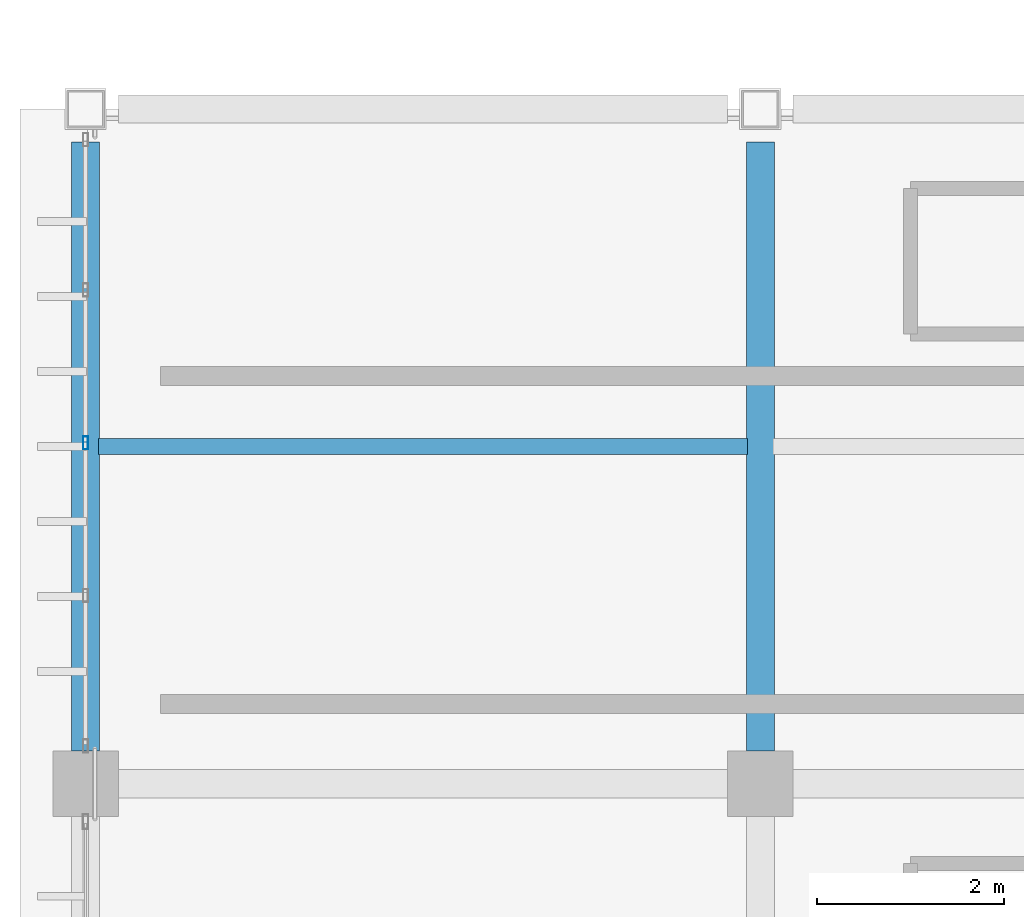
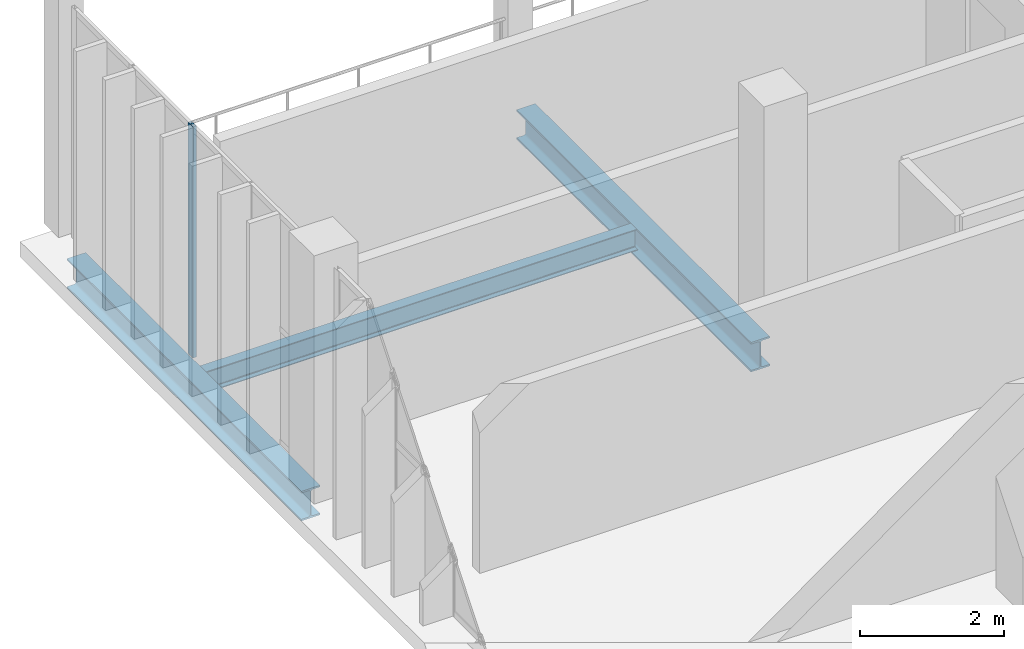
# One storey, part 57 of 130: 3 beams, 1 member, 1 element without a shape of its own.
"""IFC4 building model written with IfcOpenShell, lengths in metres."""

import ifcopenshell
import ifcopenshell.guid

model = None  # the IFC model being written
_history = None  # IfcOwnerHistory: only IFC2X3 demands one
_inside = {}  # id of a spatial element -> (the spatial element, [elements in it])
_under = {}  # id of a project, library or spatial element -> (it, [spatial elements below it])
_declared = {}  # id of a project -> (the project, [libraries it declares])
_typed = {}  # id of a type object -> (the type object, [elements of that type])
_made_of = {}  # id of a material, layer set ... -> (it, [elements and type objects made of it])


def new_model(schema):
    """Start an empty IFC model of exactly this schema.

    Asked for "IFC4X3", IfcOpenShell would pick the latest addendum, in which some entities
    have other attributes; the version numbers below select the first issue.
    IFC2X3 requires an IfcOwnerHistory on every rooted entity: one is made here for all.
    """
    global model, _history
    if schema == "IFC4X3":
        model = ifcopenshell.file(schema_version=(4, 3, 0, 0))
    else:
        model = ifcopenshell.file(schema=schema)
    _inside.clear()
    _under.clear()
    _declared.clear()
    _typed.clear()
    _made_of.clear()
    _history = None
    if model.schema == "IFC2X3":
        org = make("IfcOrganization", Name="unknown")
        user = make(
            "IfcPersonAndOrganization",
            ThePerson=make("IfcPerson", FamilyName="unknown"),
            TheOrganization=org,
        )
        app = make(
            "IfcApplication",
            ApplicationDeveloper=org,
            Version="unknown",
            ApplicationFullName="unknown",
            ApplicationIdentifier="unknown",
        )
        _history = make(
            "IfcOwnerHistory",
            OwningUser=user,
            OwningApplication=app,
            ChangeAction="ADDED",
            CreationDate=0,
        )
    return model


def make(cls, **values):
    """One entity of the class cls with the attributes given. An attribute that is None is left unset."""
    return model.create_entity(
        cls, **{name: value for name, value in values.items() if value is not None}
    )


def rooted(cls, **values):
    """An entity with a GlobalId (a new one), such as an element, a storey or a relation."""
    return make(cls, GlobalId=ifcopenshell.guid.new(), OwnerHistory=_history, **values)


def si_unit(unit_type, name, prefix=None):
    """IfcSIUnit, for example si_unit("LENGTHUNIT", "METRE", prefix="MILLI")."""
    return make("IfcSIUnit", UnitType=unit_type, Prefix=prefix, Name=name)


def assignment(units):
    """IfcUnitAssignment: the units of a project."""
    return None if units is None else make("IfcUnitAssignment", Units=units)


def point(xyz):
    """IfcCartesianPoint."""
    return None if xyz is None else make("IfcCartesianPoint", Coordinates=xyz)


def direction(xyz):
    """IfcDirection."""
    return None if xyz is None else make("IfcDirection", DirectionRatios=xyz)


def frame(location, z_axis=None, x_axis=None):
    """IfcAxis2Placement3D, a coordinate frame: its origin and axes. An axis left out is left unset."""
    return make(
        "IfcAxis2Placement3D",
        Location=point(location),
        Axis=direction(z_axis),
        RefDirection=direction(x_axis),
    )


def frame_2d(location, x_axis=None):
    """IfcAxis2Placement2D, a coordinate frame in the plane: its origin and x axis."""
    return make(
        "IfcAxis2Placement2D", Location=point(location), RefDirection=direction(x_axis)
    )


def origin():
    """The frame at (0, 0, 0) with its axes left unset."""
    return frame((0.0, 0.0, 0.0))


def origin_2d():
    """The frame at (0, 0) in the plane with its x axis left unset."""
    return frame_2d((0.0, 0.0))


def place(relative_to, where):
    """IfcLocalPlacement: puts the frame where relative to a parent placement (None: the world)."""
    return make(
        "IfcLocalPlacement", PlacementRelTo=relative_to, RelativePlacement=where
    )


def context(
    kind, dimensions, precision=None, world=None, true_north=None, identifier=None
):
    """IfcGeometricRepresentationContext, for example the 3D "Model" context."""
    return make(
        "IfcGeometricRepresentationContext",
        ContextIdentifier=identifier,
        ContextType=kind,
        CoordinateSpaceDimension=dimensions,
        Precision=precision,
        WorldCoordinateSystem=world,
        TrueNorth=true_north,
    )


def subcontext(parent, identifier, kind, view, scale=None):
    """IfcGeometricRepresentationSubContext, for example "Body" below "Model"."""
    return make(
        "IfcGeometricRepresentationSubContext",
        ContextIdentifier=identifier,
        ContextType=kind,
        ParentContext=parent,
        TargetScale=scale,
        TargetView=view,
    )


def project(units=None, contexts=None):
    """IfcProject with its units and contexts."""
    return rooted(
        "IfcProject",
        Name="project",
        RepresentationContexts=contexts,
        UnitsInContext=assignment(units),
    )


def spatial(cls, under=None, at=None, **own):
    """A site, building, storey or space (cls), placed at a placement, below another one or the project."""
    s = rooted(cls, ObjectPlacement=at, **own)
    if under is not None:
        _under.setdefault(under.id(), (under, []))[1].append(s)
    return s


def profile(cls, at=None, kind="AREA", **sizes):
    """A parametric profile (cls). Its sizes go by their IFC names, for example OverallWidth=200.0."""
    return make(cls, ProfileType=kind, Position=at, **sizes)


def hollow_rectangle(**sizes):
    """IfcRectangleHollowProfileDef."""
    return profile("IfcRectangleHollowProfileDef", **sizes)


def i_section(**sizes):
    """IfcIShapeProfileDef."""
    return profile("IfcIShapeProfileDef", **sizes)


def extrude(swept, where, along, depth):
    """IfcExtrudedAreaSolid: the profile swept, set in the frame where, extruded along a direction by depth."""
    return make(
        "IfcExtrudedAreaSolid",
        SweptArea=swept,
        Position=where,
        ExtrudedDirection=direction(along),
        Depth=depth,
    )


def shape(context_of_items, identifier, shape_type, items):
    """IfcShapeRepresentation: the items that make up one representation, for example the "Body"."""
    return make(
        "IfcShapeRepresentation",
        ContextOfItems=context_of_items,
        RepresentationIdentifier=identifier,
        RepresentationType=shape_type,
        Items=items,
    )


def material(Name=None, Category=None):
    """IfcMaterial."""
    return make("IfcMaterial", Name=Name, Category=Category)


def material_profile(
    of_material, cross_section, Name=None, Category=None, Priority=None
):
    """IfcMaterialProfile: a cross section and its material."""
    return make(
        "IfcMaterialProfile",
        Name=Name,
        Material=of_material,
        Profile=cross_section,
        Priority=Priority,
        Category=Category,
    )


def profile_set(profiles, Name=None, composite=None):
    """IfcMaterialProfileSet."""
    return make(
        "IfcMaterialProfileSet",
        Name=Name,
        MaterialProfiles=profiles,
        CompositeProfile=composite,
    )


def made_of(thing, what):
    """Note that an element or type object is made of a material, layer set ...; save() writes the relation."""
    if what is not None:
        _made_of.setdefault(what.id(), (what, []))[1].append(thing)
    return thing


def type_object(cls, material=None, **own):
    """A type object (cls), such as IfcWallType, which elements share."""
    return made_of(rooted(cls, **own), material)


def element(
    cls,
    number,
    at=None,
    inside=None,
    cuts=None,
    type_object=None,
    material=None,
    context=None,
    identifier="Body",
    shape_type=None,
    held_by="IfcProductDefinitionShape",
    body=None,
    shapes=None,
    **own,
):
    """One element of the class cls, such as IfcWall. Its Tag is "e" and its number.

    at: its placement. inside: the storey or other place that contains it. cuts: it is an
    opening in that element (IfcRelVoidsElement). A single representation is given by context,
    identifier, shape_type and body (its items); several are given by shapes. held_by: the class
    of the entity that holds the representations. save() writes the other relations.
    """
    e = rooted(cls, Tag="e%d" % number, ObjectPlacement=at, **own)
    if body is not None:
        shapes = [shape(context, identifier, shape_type, body)]
    if shapes is not None:
        e.Representation = make(held_by, Representations=shapes)
    if inside is not None:
        _inside.setdefault(inside.id(), (inside, []))[1].append(e)
    if cuts is not None:
        rooted(
            "IfcRelVoidsElement", RelatingBuildingElement=cuts, RelatedOpeningElement=e
        )
    if type_object is not None:
        _typed.setdefault(type_object.id(), (type_object, []))[1].append(e)
    return made_of(e, material)


def aggregate(whole, parts):
    """IfcRelAggregates: a whole, such as a stair, and the parts it consists of."""
    return rooted("IfcRelAggregates", RelatingObject=whole, RelatedObjects=parts)


def save(model, path):
    """Write the relations noted so far, then the file.

    IfcRelAggregates (storeys below a building ...), IfcRelContainedInSpatialStructure (elements
    in a storey), IfcRelDefinesByType, IfcRelAssociatesMaterial and IfcRelDeclares: one each for
    every whole, place, type object, material and project.
    """
    for whole, parts in _under.values():
        aggregate(whole, parts)
    for where, things in _inside.values():
        rooted(
            "IfcRelContainedInSpatialStructure",
            RelatedElements=things,
            RelatingStructure=where,
        )
    for kind, things in _typed.values():
        rooted("IfcRelDefinesByType", RelatedObjects=things, RelatingType=kind)
    for what, things in _made_of.values():
        rooted("IfcRelAssociatesMaterial", RelatedObjects=things, RelatingMaterial=what)
    for by, libraries in _declared.values():
        rooted("IfcRelDeclares", RelatingContext=by, RelatedDefinitions=libraries)
    model.write(path)


model = new_model("IFC4")

# Units and contexts
model_context = context("Model", 3, precision=1e-05, world=origin(), true_north=direction((0.0, 1.0)))
body_context = subcontext(model_context, "Body", "Model", "MODEL_VIEW")
ifc_project = project(units=[si_unit("LENGTHUNIT", "METRE"), si_unit("AREAUNIT", "SQUARE_METRE"), si_unit("VOLUMEUNIT", "CUBIC_METRE"), si_unit("PLANEANGLEUNIT", "RADIAN"), si_unit("MASSUNIT", "GRAM", prefix="KILO")], contexts=[model_context])

# Site, building, storey
site_placement = place(None, origin())
site = spatial("IfcSite", under=ifc_project, at=site_placement, CompositionType="ELEMENT")
building_placement = place(site_placement, origin())
building = spatial("IfcBuilding", under=site, at=building_placement, Name="Qandorah Velis Arena", CompositionType="ELEMENT")
storey_placement = place(building_placement, frame((0.0, 0.0, 9.60009765625)))
storey = spatial("IfcBuildingStorey", under=building, at=storey_placement, Name="L02", CompositionType="ELEMENT", Elevation=9.60009765625)

# Curtain wall, member
ifc_material_1 = material(Name="Solar-control low-E double glazing", Category="glass")
curtain_wall_type = type_object("IfcCurtainWallType", Name="ARC-CW-SYS20", PredefinedType="USERDEFINED", material=ifc_material_1)
curtain_wall_placement = place(storey_placement, origin())
curtain_wall = element("IfcCurtainWall", 1, at=curtain_wall_placement, inside=storey, type_object=curtain_wall_type, Name="Unitised curtain wall L02-020", ObjectType="UNITISED CURTAIN WALL", PredefinedType="USERDEFINED")
ifc_material_2 = material(Name="Champagne-bronze anodized aluminium 6063-T6", Category="aluminium")
ifc_material_profile_1 = material_profile(ifc_material_2, hollow_rectangle(XDim=0.054931640625, YDim=0.139892578125, WallThickness=0.0029296875, at=origin_2d()), Name="ALU MULLION 55x140")
ifc_profile_set_1 = profile_set([ifc_material_profile_1], Name="Champagne-bronze anodized aluminium 6063-T6")
member_type = type_object("IfcMemberType", Name="ARC-CWM-140", PredefinedType="MULLION", material=ifc_profile_set_1)
member_placement = place(storey_placement, frame((0.0, 111.637451171875, -0.01513671875), z_axis=(0.0, 0.0, 1.0), x_axis=(-1.0, 0.0, 0.0)))
member = element("IfcMember", 2, at=member_placement, type_object=member_type, Name="CW20 mullion 3", PredefinedType="MULLION", context=body_context, shape_type="SweptSolid", body=[
    extrude(hollow_rectangle(XDim=0.054931640625, YDim=0.139892578125, WallThickness=0.0029296875, at=origin_2d()), origin(), (0.0, 0.0, 1.0), 3.91015625),
])
aggregate(curtain_wall, [member])

# Beams
ifc_material_3 = material(Name="Steel S355", Category="steel")
ifc_material_profile_2 = material_profile(ifc_material_3, i_section(OverallWidth=0.300048828125, OverallDepth=0.5, WebThickness=0.014404296875, FlangeThickness=0.028076171875, FilletRadius=0.027099609375, at=origin_2d()), Name="HEB 500")
ifc_profile_set_2 = profile_set([ifc_material_profile_2], Name="Steel S355")
beam_type_1 = type_object("IfcBeamType", Name="STR-BM-HEB500", PredefinedType="BEAM", material=ifc_profile_set_2)
for number, where, z_axis, x_axis, name in (
    (3, (0.0, 108.35009765625, -0.530029296875), (0.0, 1.0, 0.0), (-1.0, 0.0, 0.0), "Primary floor girder L02 Y-197"),
    (4, (7.199951171875, 108.35009765625, -0.530029296875), (0.0, 1.0, 0.0), (-1.0, 0.0, 0.0), "Primary floor girder L02 Y-211"),
):
    element("IfcBeam", number, at=place(storey_placement, frame(where, z_axis=z_axis, x_axis=x_axis)), inside=storey, type_object=beam_type_1, Name=name, PredefinedType="BEAM", context=body_context, shape_type="SweptSolid", body=[
        extrude(i_section(OverallWidth=0.300048828125, OverallDepth=0.5, WebThickness=0.014404296875, FlangeThickness=0.028076171875, FilletRadius=0.027099609375, at=origin_2d()), origin(), (0.0, 0.0, 1.0), 6.5),
    ])
ifc_material_profile_3 = material_profile(ifc_material_3, i_section(OverallWidth=0.169921875, OverallDepth=0.360107421875, WebThickness=0.008056640625, FlangeThickness=0.0126953125, FilletRadius=0.01806640625, at=origin_2d()), Name="IPE 360")
ifc_profile_set_3 = profile_set([ifc_material_profile_3], Name="Steel S355")
beam_type_2 = type_object("IfcBeamType", Name="STR-JST-IPE360", PredefinedType="JOIST", material=ifc_profile_set_3)
beam_placement = place(storey_placement, frame((0.135009765625, 111.60009765625, -0.460205078125), z_axis=(1.0, 0.0, 0.0), x_axis=(0.0, 1.0, 0.0)))
element("IfcBeam", 5, at=beam_placement, inside=storey, type_object=beam_type_2, Name="Secondary floor joist L02-010", PredefinedType="JOIST", context=body_context, shape_type="SweptSolid", body=[
    extrude(i_section(OverallWidth=0.169921875, OverallDepth=0.360107421875, WebThickness=0.008056640625, FlangeThickness=0.0126953125, FilletRadius=0.01806640625, at=origin_2d()), origin(), (0.0, 0.0, 1.0), 6.929931640625),
])

save(model, "model.ifc")
